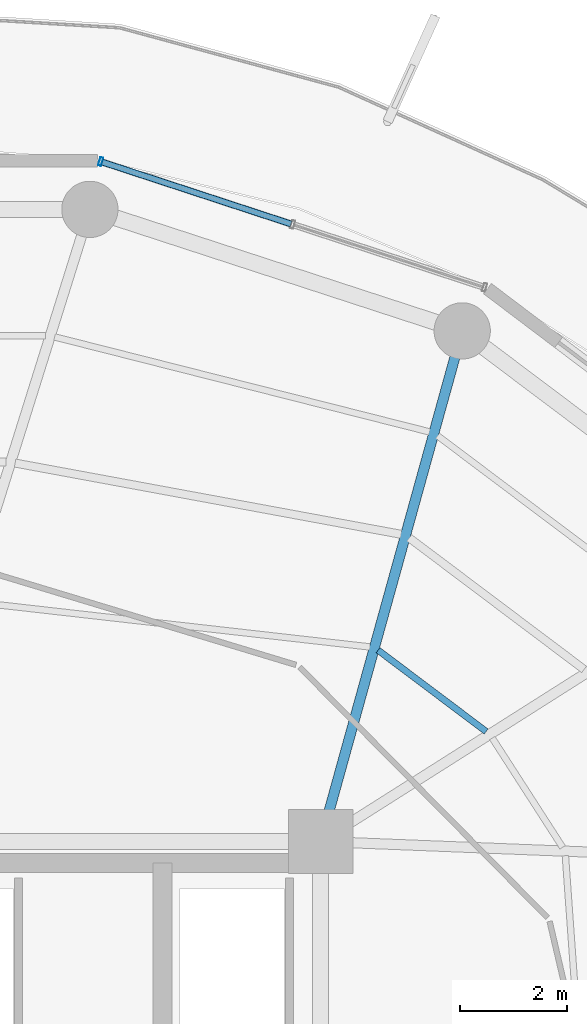
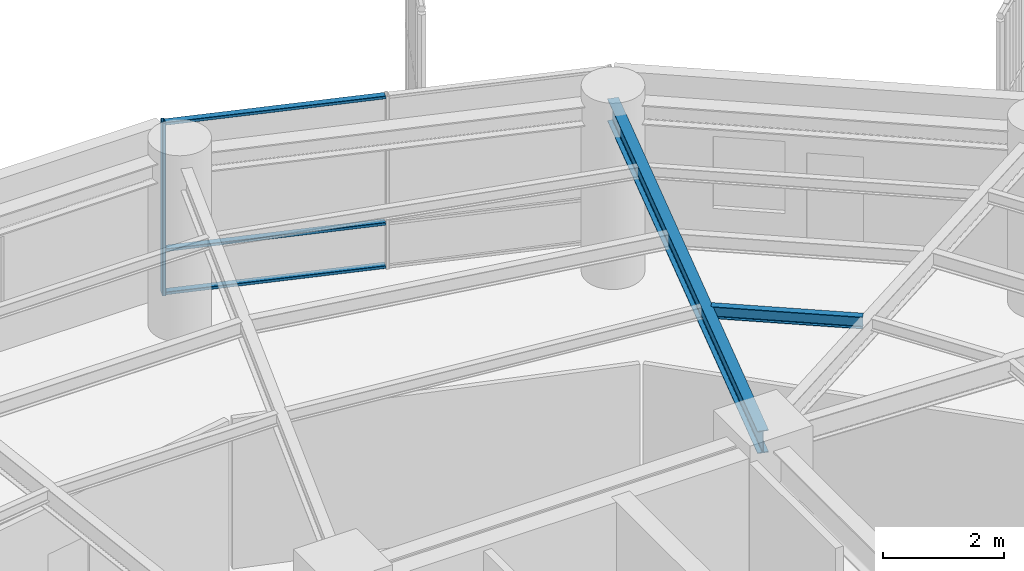
# One storey, part 21 of 31: 4 members, 2 beams, 1 element without a shape of its own.
"""IFC4 building model written with IfcOpenShell, lengths in metres."""

from ifc_helpers import new_model, si_unit, direction, frame, origin, origin_2d, place, context, subcontext, project, spatial, hollow_rectangle, i_section, extrude, material, layer, layer_set, material_profile, profile_set, type_object, element, aggregate, save


model = new_model("IFC4")

# Units and contexts
model_context = context("Model", 3, precision=1e-05, world=origin(), true_north=direction((0.0, 1.0)))
body_context = subcontext(model_context, "Body", "Model", "MODEL_VIEW")
ifc_project = project(units=[si_unit("LENGTHUNIT", "METRE"), si_unit("AREAUNIT", "SQUARE_METRE"), si_unit("VOLUMEUNIT", "CUBIC_METRE"), si_unit("PLANEANGLEUNIT", "RADIAN"), si_unit("MASSUNIT", "GRAM", prefix="KILO")], contexts=[model_context])

# Site, building, storey
site_placement = place(None, origin())
site = spatial("IfcSite", under=ifc_project, at=site_placement, CompositionType="ELEMENT")
building_placement = place(site_placement, origin())
building = spatial("IfcBuilding", under=site, at=building_placement, Name="Kelanora Arch Commons", CompositionType="ELEMENT")
storey_placement = place(building_placement, frame((0.0, 0.0, 193.199951171875)))
storey = spatial("IfcBuildingStorey", under=building, at=storey_placement, Name="L49", CompositionType="ELEMENT", Elevation=193.199951171875)

# Beams
ifc_material_1 = material(Name="Steel S355", Category="steel")
ifc_material_profile_1 = material_profile(ifc_material_1, i_section(OverallWidth=0.1201171875, OverallDepth=0.239990234375, WebThickness=0.006103515625, FlangeThickness=0.009765625, FilletRadius=0.014892578125, at=origin_2d()), Name="IPE240")
ifc_profile_set_1 = profile_set([ifc_material_profile_1], Name="Steel S355")
beam_type_1 = type_object("IfcBeamType", Name="BM-JST-02", PredefinedType="JOIST", material=ifc_profile_set_1)
beam_1_placement = place(storey_placement, frame((85.086669921875, 67.051513671875, 3.3701171875), z_axis=(-0.79911638933, 0.601176343766, 0.0), x_axis=(-0.601176343766, -0.79911638933, 0.0)))
element("IfcBeam", 1, at=beam_1_placement, inside=storey, type_object=beam_type_1, Name="Secondary Chord Joist BJA-04 L49", PredefinedType="JOIST", context=body_context, shape_type="SweptSolid", body=[
    extrude(i_section(OverallWidth=0.1201171875, OverallDepth=0.239990234375, WebThickness=0.006103515625, FlangeThickness=0.009765625, FilletRadius=0.014892578125, at=origin_2d()), origin(), (0.0, 0.0, 1.0), 2.522216796875),
])
ifc_material_profile_2 = material_profile(ifc_material_1, i_section(OverallWidth=0.18994140625, OverallDepth=0.449951171875, WebThickness=0.009521484375, FlangeThickness=0.0146484375, FilletRadius=0.02099609375, at=origin_2d()), Name="IPE450")
ifc_profile_set_2 = profile_set([ifc_material_profile_2], Name="Steel S355")
beam_type_2 = type_object("IfcBeamType", Name="BM-RAD-Z4", PredefinedType="BEAM", material=ifc_profile_set_2)
beam_2_placement = place(storey_placement, frame((82.0, 65.0, 3.26513671875), z_axis=(0.267120164296, 0.963663228429, 0.0), x_axis=(-0.963663228429, 0.267120164296, 0.0)))
element("IfcBeam", 2, at=beam_2_placement, inside=storey, type_object=beam_type_2, Name="Radial Floor Girder BR-06 L49", PredefinedType="BEAM", context=body_context, shape_type="SweptSolid", body=[
    extrude(i_section(OverallWidth=0.18994140625, OverallDepth=0.449951171875, WebThickness=0.009521484375, FlangeThickness=0.0146484375, FilletRadius=0.02099609375, at=origin_2d()), origin(), (0.0, 0.0, 1.0), 9.8828125),
])

# Curtain wall, members
ifc_material_2 = material(Name="Terracotta ceramic-fritted low-E glass and aluminium", Category="masonry")
ifc_layer = layer(ifc_material_2, 0.175048828125)
ifc_layer_set = layer_set([ifc_layer], Name="Terracotta ceramic-fritted low-E glass and aluminium")
curtain_wall_type = type_object("IfcCurtainWallType", Name="CW-SYS-02", PredefinedType="NOTDEFINED", material=ifc_layer_set)
curtain_wall_placement = place(storey_placement, origin())
curtain_wall = element("IfcCurtainWall", 3, at=curtain_wall_placement, inside=storey, type_object=curtain_wall_type, Name="Unitised Curtain Wall L49-B03", PredefinedType="NOTDEFINED")
ifc_material_3 = material(Name="Powder-coated aluminium terracotta", Category="masonry")
ifc_material_profile_3 = material_profile(ifc_material_3, hollow_rectangle(XDim=0.159912109375, YDim=0.06005859375, WallThickness=0.0048828125, InnerFilletRadius=0.0048828125, OuterFilletRadius=0.010009765625, at=origin_2d()), Name="CWM160x60")
ifc_profile_set_3 = profile_set([ifc_material_profile_3], Name="Powder-coated aluminium terracotta")
member_type_1 = type_object("IfcMemberType", Name="CWM-STD", PredefinedType="MULLION", material=ifc_profile_set_3)
member_1_placement = place(storey_placement, frame((77.897705078125, 77.68212890625, 0.0), z_axis=(0.0, 0.0, 1.0), x_axis=(-0.311582439059, -0.950219124029, 0.0)))
member_1 = element("IfcMember", 4, at=member_1_placement, type_object=member_type_1, Name="CW-02 mullion 3", PredefinedType="MULLION", context=body_context, shape_type="SweptSolid", body=[
    extrude(hollow_rectangle(XDim=0.159912109375, YDim=0.06005859375, WallThickness=0.0048828125, InnerFilletRadius=0.0048828125, OuterFilletRadius=0.010009765625, at=origin_2d()), origin(), (0.0, 0.0, 1.0), 3.47509765625),
])
ifc_material_profile_4 = material_profile(ifc_material_3, hollow_rectangle(XDim=0.1201171875, YDim=0.06005859375, WallThickness=0.0048828125, InnerFilletRadius=0.0048828125, OuterFilletRadius=0.010009765625, at=origin_2d()), Name="CWT120x60")
ifc_profile_set_4 = profile_set([ifc_material_profile_4], Name="Powder-coated aluminium terracotta")
member_type_2 = type_object("IfcMemberType", Name="CWT-STD", PredefinedType="USERDEFINED", material=ifc_profile_set_4)
member_2_placement = place(storey_placement, frame((81.448974609375, 76.517578125, 0.030029296875), z_axis=(-0.950206527055, 0.311620852867, 0.0), x_axis=(-0.311620852867, -0.950206527055, 0.0)))
member_2 = element("IfcMember", 5, at=member_2_placement, type_object=member_type_2, Name="CW-02 transom 2.1", ObjectType="TRANSOM", PredefinedType="USERDEFINED", context=body_context, shape_type="SweptSolid", body=[
    extrude(hollow_rectangle(XDim=0.1201171875, YDim=0.06005859375, WallThickness=0.0048828125, InnerFilletRadius=0.0048828125, OuterFilletRadius=0.010009765625, at=origin_2d()), origin(), (0.0, 0.0, 1.0), 3.707275390625),
])
member_3_placement = place(storey_placement, frame((81.448974609375, 76.517578125, 0.900146484375), z_axis=(-0.950206527055, 0.311620852867, 0.0), x_axis=(-0.311620852867, -0.950206527055, 0.0)))
member_3 = element("IfcMember", 6, at=member_3_placement, type_object=member_type_2, Name="CW-02 transom 2.2", ObjectType="TRANSOM", PredefinedType="USERDEFINED", context=body_context, shape_type="SweptSolid", body=[
    extrude(hollow_rectangle(XDim=0.1201171875, YDim=0.06005859375, WallThickness=0.0048828125, InnerFilletRadius=0.0048828125, OuterFilletRadius=0.010009765625, at=origin_2d()), origin(), (0.0, 0.0, 1.0), 3.707275390625),
])
member_4_placement = place(storey_placement, frame((81.448974609375, 76.517578125, 3.445068359375), z_axis=(-0.950206527055, 0.311620852867, 0.0), x_axis=(-0.311620852867, -0.950206527055, 0.0)))
member_4 = element("IfcMember", 7, at=member_4_placement, type_object=member_type_2, Name="CW-02 transom 2.3", ObjectType="TRANSOM", PredefinedType="USERDEFINED", context=body_context, shape_type="SweptSolid", body=[
    extrude(hollow_rectangle(XDim=0.1201171875, YDim=0.06005859375, WallThickness=0.0048828125, InnerFilletRadius=0.0048828125, OuterFilletRadius=0.010009765625, at=origin_2d()), origin(), (0.0, 0.0, 1.0), 3.707275390625),
])
aggregate(curtain_wall, [member_1, member_2, member_3, member_4])

save(model, "model.ifc")
